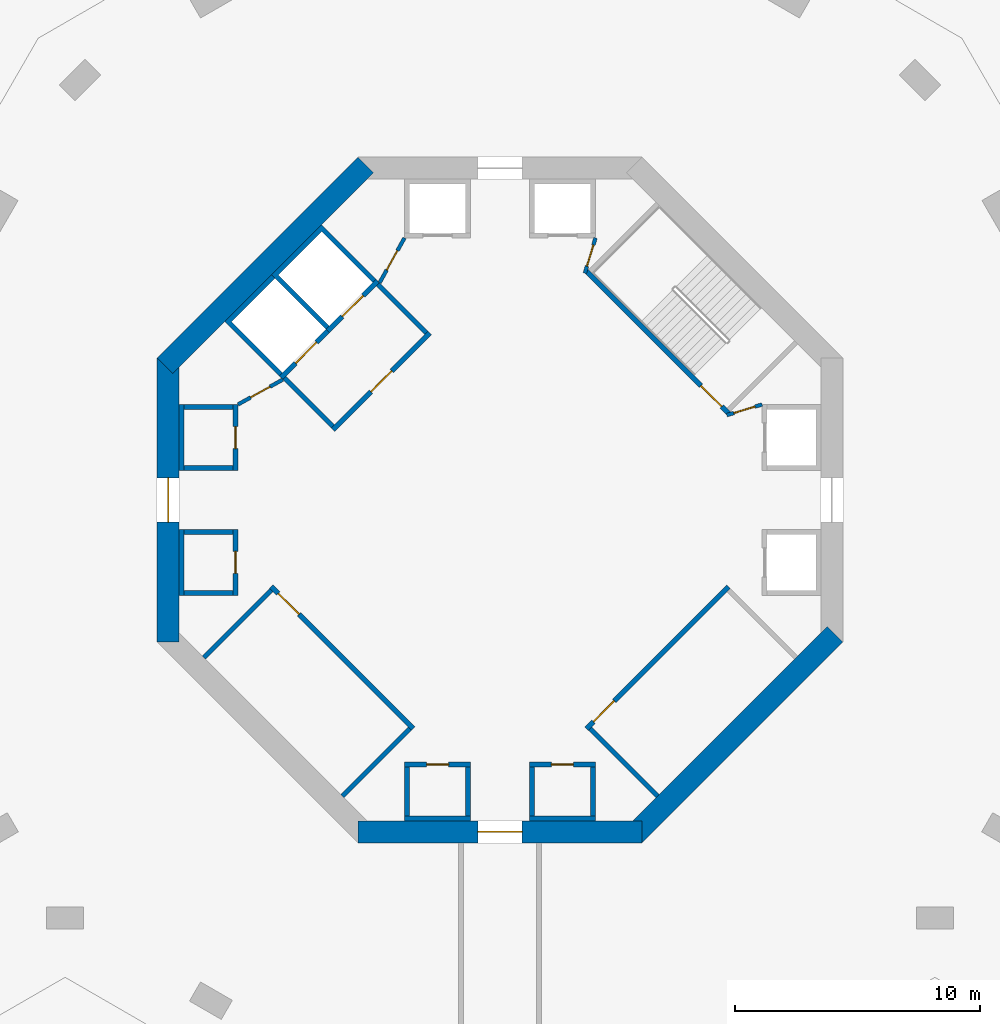
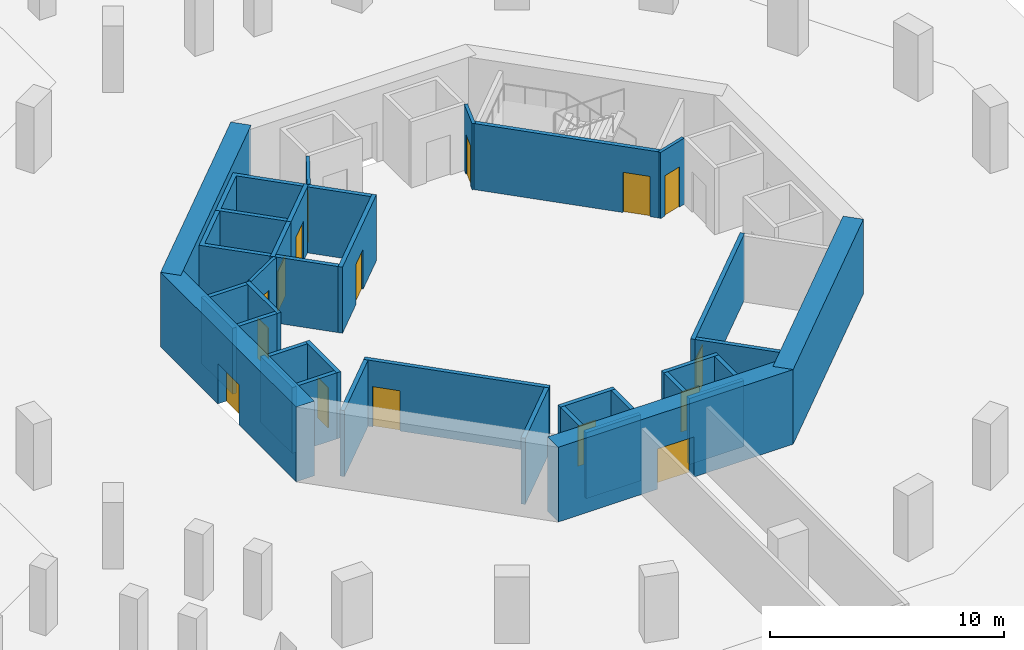
# One storey, part 7 of 25: 37 walls, 16 doors, 16 openings.
"""IFC4 building model written with IfcOpenShell, lengths in metres."""

import ifcopenshell
import ifcopenshell.guid

model = None  # the IFC model being written
_history = None  # IfcOwnerHistory: only IFC2X3 demands one
_inside = {}  # id of a spatial element -> (the spatial element, [elements in it])
_under = {}  # id of a project, library or spatial element -> (it, [spatial elements below it])
_declared = {}  # id of a project -> (the project, [libraries it declares])
_typed = {}  # id of a type object -> (the type object, [elements of that type])
_made_of = {}  # id of a material, layer set ... -> (it, [elements and type objects made of it])


def new_model(schema):
    """Start an empty IFC model of exactly this schema.

    Asked for "IFC4X3", IfcOpenShell would pick the latest addendum, in which some entities
    have other attributes; the version numbers below select the first issue.
    IFC2X3 requires an IfcOwnerHistory on every rooted entity: one is made here for all.
    """
    global model, _history
    if schema == "IFC4X3":
        model = ifcopenshell.file(schema_version=(4, 3, 0, 0))
    else:
        model = ifcopenshell.file(schema=schema)
    _inside.clear()
    _under.clear()
    _declared.clear()
    _typed.clear()
    _made_of.clear()
    _history = None
    if model.schema == "IFC2X3":
        org = make("IfcOrganization", Name="unknown")
        user = make(
            "IfcPersonAndOrganization",
            ThePerson=make("IfcPerson", FamilyName="unknown"),
            TheOrganization=org,
        )
        app = make(
            "IfcApplication",
            ApplicationDeveloper=org,
            Version="unknown",
            ApplicationFullName="unknown",
            ApplicationIdentifier="unknown",
        )
        _history = make(
            "IfcOwnerHistory",
            OwningUser=user,
            OwningApplication=app,
            ChangeAction="ADDED",
            CreationDate=0,
        )
    return model


def make(cls, **values):
    """One entity of the class cls with the attributes given. An attribute that is None is left unset."""
    return model.create_entity(
        cls, **{name: value for name, value in values.items() if value is not None}
    )


def rooted(cls, **values):
    """An entity with a GlobalId (a new one), such as an element, a storey or a relation."""
    return make(cls, GlobalId=ifcopenshell.guid.new(), OwnerHistory=_history, **values)


def si_unit(unit_type, name, prefix=None):
    """IfcSIUnit, for example si_unit("LENGTHUNIT", "METRE", prefix="MILLI")."""
    return make("IfcSIUnit", UnitType=unit_type, Prefix=prefix, Name=name)


def assignment(units):
    """IfcUnitAssignment: the units of a project."""
    return None if units is None else make("IfcUnitAssignment", Units=units)


def point(xyz):
    """IfcCartesianPoint."""
    return None if xyz is None else make("IfcCartesianPoint", Coordinates=xyz)


def direction(xyz):
    """IfcDirection."""
    return None if xyz is None else make("IfcDirection", DirectionRatios=xyz)


def frame(location, z_axis=None, x_axis=None):
    """IfcAxis2Placement3D, a coordinate frame: its origin and axes. An axis left out is left unset."""
    return make(
        "IfcAxis2Placement3D",
        Location=point(location),
        Axis=direction(z_axis),
        RefDirection=direction(x_axis),
    )


def frame_2d(location, x_axis=None):
    """IfcAxis2Placement2D, a coordinate frame in the plane: its origin and x axis."""
    return make(
        "IfcAxis2Placement2D", Location=point(location), RefDirection=direction(x_axis)
    )


def origin():
    """The frame at (0, 0, 0) with its axes left unset."""
    return frame((0.0, 0.0, 0.0))


def place(relative_to, where):
    """IfcLocalPlacement: puts the frame where relative to a parent placement (None: the world)."""
    return make(
        "IfcLocalPlacement", PlacementRelTo=relative_to, RelativePlacement=where
    )


def context(
    kind, dimensions, precision=None, world=None, true_north=None, identifier=None
):
    """IfcGeometricRepresentationContext, for example the 3D "Model" context."""
    return make(
        "IfcGeometricRepresentationContext",
        ContextIdentifier=identifier,
        ContextType=kind,
        CoordinateSpaceDimension=dimensions,
        Precision=precision,
        WorldCoordinateSystem=world,
        TrueNorth=true_north,
    )


def subcontext(parent, identifier, kind, view, scale=None):
    """IfcGeometricRepresentationSubContext, for example "Body" below "Model"."""
    return make(
        "IfcGeometricRepresentationSubContext",
        ContextIdentifier=identifier,
        ContextType=kind,
        ParentContext=parent,
        TargetScale=scale,
        TargetView=view,
    )


def project(units=None, contexts=None):
    """IfcProject with its units and contexts."""
    return rooted(
        "IfcProject",
        Name="project",
        RepresentationContexts=contexts,
        UnitsInContext=assignment(units),
    )


def spatial(cls, under=None, at=None, **own):
    """A site, building, storey or space (cls), placed at a placement, below another one or the project."""
    s = rooted(cls, ObjectPlacement=at, **own)
    if under is not None:
        _under.setdefault(under.id(), (under, []))[1].append(s)
    return s


def polyline(points):
    """IfcPolyline through the points."""
    return make("IfcPolyline", Points=[point(p) for p in points])


def profile(cls, at=None, kind="AREA", **sizes):
    """A parametric profile (cls). Its sizes go by their IFC names, for example OverallWidth=200.0."""
    return make(cls, ProfileType=kind, Position=at, **sizes)


def rectangle(**sizes):
    """IfcRectangleProfileDef."""
    return profile("IfcRectangleProfileDef", **sizes)


def outline(outer, holes=None, kind="AREA"):
    """IfcArbitraryClosedProfileDef: a profile drawn as a closed curve; with holes, ...WithVoids."""
    if holes is None:
        return make("IfcArbitraryClosedProfileDef", ProfileType=kind, OuterCurve=outer)
    return make(
        "IfcArbitraryProfileDefWithVoids",
        ProfileType=kind,
        OuterCurve=outer,
        InnerCurves=holes,
    )


def extrude(swept, where, along, depth):
    """IfcExtrudedAreaSolid: the profile swept, set in the frame where, extruded along a direction by depth."""
    return make(
        "IfcExtrudedAreaSolid",
        SweptArea=swept,
        Position=where,
        ExtrudedDirection=direction(along),
        Depth=depth,
    )


def shape(context_of_items, identifier, shape_type, items):
    """IfcShapeRepresentation: the items that make up one representation, for example the "Body"."""
    return make(
        "IfcShapeRepresentation",
        ContextOfItems=context_of_items,
        RepresentationIdentifier=identifier,
        RepresentationType=shape_type,
        Items=items,
    )


def material(Name=None, Category=None):
    """IfcMaterial."""
    return make("IfcMaterial", Name=Name, Category=Category)


def layer(
    of_material, thickness, ventilated=None, Name=None, Category=None, Priority=None
):
    """IfcMaterialLayer: one layer of a wall or slab, of a material (None: an air gap)."""
    return make(
        "IfcMaterialLayer",
        Material=of_material,
        LayerThickness=thickness,
        IsVentilated=ventilated,
        Name=Name,
        Category=Category,
        Priority=Priority,
    )


def layer_set(layers, Name=None):
    """IfcMaterialLayerSet."""
    return make("IfcMaterialLayerSet", MaterialLayers=layers, LayerSetName=Name)


def made_of(thing, what):
    """Note that an element or type object is made of a material, layer set ...; save() writes the relation."""
    if what is not None:
        _made_of.setdefault(what.id(), (what, []))[1].append(thing)
    return thing


def type_object(cls, material=None, **own):
    """A type object (cls), such as IfcWallType, which elements share."""
    return made_of(rooted(cls, **own), material)


def element(
    cls,
    number,
    at=None,
    inside=None,
    cuts=None,
    type_object=None,
    material=None,
    context=None,
    identifier="Body",
    shape_type=None,
    held_by="IfcProductDefinitionShape",
    body=None,
    shapes=None,
    **own,
):
    """One element of the class cls, such as IfcWall. Its Tag is "e" and its number.

    at: its placement. inside: the storey or other place that contains it. cuts: it is an
    opening in that element (IfcRelVoidsElement). A single representation is given by context,
    identifier, shape_type and body (its items); several are given by shapes. held_by: the class
    of the entity that holds the representations. save() writes the other relations.
    """
    e = rooted(cls, Tag="e%d" % number, ObjectPlacement=at, **own)
    if body is not None:
        shapes = [shape(context, identifier, shape_type, body)]
    if shapes is not None:
        e.Representation = make(held_by, Representations=shapes)
    if inside is not None:
        _inside.setdefault(inside.id(), (inside, []))[1].append(e)
    if cuts is not None:
        rooted(
            "IfcRelVoidsElement", RelatingBuildingElement=cuts, RelatedOpeningElement=e
        )
    if type_object is not None:
        _typed.setdefault(type_object.id(), (type_object, []))[1].append(e)
    return made_of(e, material)


def fill(opening, filler):
    """IfcRelFillsElement: the door or window that sits in an opening."""
    return rooted(
        "IfcRelFillsElement",
        RelatingOpeningElement=opening,
        RelatedBuildingElement=filler,
    )


def aggregate(whole, parts):
    """IfcRelAggregates: a whole, such as a stair, and the parts it consists of."""
    return rooted("IfcRelAggregates", RelatingObject=whole, RelatedObjects=parts)


def save(model, path):
    """Write the relations noted so far, then the file.

    IfcRelAggregates (storeys below a building ...), IfcRelContainedInSpatialStructure (elements
    in a storey), IfcRelDefinesByType, IfcRelAssociatesMaterial and IfcRelDeclares: one each for
    every whole, place, type object, material and project.
    """
    for whole, parts in _under.values():
        aggregate(whole, parts)
    for where, things in _inside.values():
        rooted(
            "IfcRelContainedInSpatialStructure",
            RelatedElements=things,
            RelatingStructure=where,
        )
    for kind, things in _typed.values():
        rooted("IfcRelDefinesByType", RelatedObjects=things, RelatingType=kind)
    for what, things in _made_of.values():
        rooted("IfcRelAssociatesMaterial", RelatedObjects=things, RelatingMaterial=what)
    for by, libraries in _declared.values():
        rooted("IfcRelDeclares", RelatingContext=by, RelatedDefinitions=libraries)
    model.write(path)


model = new_model("IFC4")

# Units and contexts
model_context = context("Model", 3, precision=1e-05, world=origin(), true_north=direction((0.0, 1.0)))
body_context = subcontext(model_context, "Body", "Model", "MODEL_VIEW")
ifc_project = project(units=[si_unit("LENGTHUNIT", "METRE"), si_unit("AREAUNIT", "SQUARE_METRE"), si_unit("VOLUMEUNIT", "CUBIC_METRE"), si_unit("PLANEANGLEUNIT", "RADIAN"), si_unit("MASSUNIT", "GRAM", prefix="KILO")], contexts=[model_context])

# Site, building, storey
site_placement = place(None, origin())
site = spatial("IfcSite", under=ifc_project, at=site_placement, CompositionType="ELEMENT")
building_placement = place(site_placement, origin())
building = spatial("IfcBuilding", under=site, at=building_placement, Name="Verdalira Terraces Hotel", CompositionType="ELEMENT")
storey_placement = place(building_placement, frame((0.0, 0.0, -7.800049)))
storey = spatial("IfcBuildingStorey", under=building, at=storey_placement, Name="B2", CompositionType="ELEMENT", Elevation=-7.800048828125)

# Walls
ifc_material_1 = material(Name="Concrete C50", Category="concrete")
ifc_layer_1 = layer(ifc_material_1, 0.199951171875)
ifc_layer_set_1 = layer_set([ifc_layer_1], Name="Core RC wall 200 C50")
wall_type_1 = type_object("IfcWallType", Name="Core RC wall 200 C50", PredefinedType="SOLIDWALL", material=ifc_layer_set_1)
wall_1_placement = place(storey_placement, origin())
element("IfcWall", 1, at=wall_1_placement, inside=storey, type_object=wall_type_1, Name="B2 store wall W1", PredefinedType="SOLIDWALL", context=body_context, shape_type="SweptSolid", body=[
    extrude(outline(polyline([(-10.899902, 1.199951), (-12.899902, 1.199951), (-12.899902, 1.399902), (-10.899902, 1.399902), (-10.899902, 1.199951)])), origin(), (0.0, 0.0, 1.0), 3.449951),
])
wall_2_placement = place(storey_placement, origin())
element("IfcWall", 2, at=wall_2_placement, inside=storey, type_object=wall_type_1, Name="B2 store wall W1", PredefinedType="SOLIDWALL", context=body_context, shape_type="SweptSolid", body=[
    extrude(outline(polyline([(-10.899902, 3.699951), (-12.899902, 3.699951), (-12.899902, 3.899902), (-10.899902, 3.899902), (-10.899902, 3.699951)])), origin(), (0.0, 0.0, 1.0), 3.449951),
])
wall_3_placement = place(storey_placement, origin())
element("IfcWall", 3, at=wall_3_placement, inside=storey, type_object=wall_type_1, Name="B2 store wall W1", PredefinedType="SOLIDWALL", context=body_context, shape_type="SweptSolid", body=[
    extrude(outline(polyline([(-12.899902, 1.199951), (-13.100098, 1.199951), (-13.100098, 3.899902), (-12.899902, 3.899902), (-12.899902, 1.199951)])), origin(), (0.0, 0.0, 1.0), 3.449951),
])

# Wall, opening, door
wall_4_placement = place(storey_placement, frame((-10.800049, 1.199951, 0.0), z_axis=(0.0, 0.0, 1.0), x_axis=(0.0, 1.0, 0.0)))
wall_4 = element("IfcWall", 4, at=wall_4_placement, inside=storey, type_object=wall_type_1, Name="B2 store front wall W1", PredefinedType="SOLIDWALL", context=body_context, shape_type="SweptSolid", body=[
    extrude(rectangle(XDim=2.699951, YDim=0.199951, at=frame_2d((1.350098, 0.0))), origin(), (0.0, 0.0, 1.0), 3.449951),
])
opening_1_placement = place(wall_4_placement, frame((0.899902, 0.0, 0.0)))
opening_1 = element("IfcOpeningElement", 5, at=opening_1_placement, cuts=wall_4, Name="Opening B2-801", PredefinedType="OPENING", context=body_context, shape_type="SweptSolid", body=[
    extrude(rectangle(XDim=0.899902, YDim=2.100098, at=frame_2d((0.449951, 1.050049))), frame((0.0, 0.109863, 0.0), z_axis=(0.0, -1.0, 0.0), x_axis=(1.0, 0.0, 0.0)), (0.0, 0.0, 1.0), 0.219971),
])
ifc_material_2 = material(Name="Steel fire door", Category="steel")
door_type_1 = type_object("IfcDoorType", Name="Core room door 900 x 2100", OperationType="NOTDEFINED", PredefinedType="DOOR", material=ifc_material_2)
door_1_placement = place(opening_1_placement, origin())
door_1 = element("IfcDoor", 6, at=door_1_placement, inside=storey, type_object=door_type_1, Name="Store door B2 W1", OperationType="SINGLE_SWING_LEFT", OverallHeight=2.10009765625, OverallWidth=0.89990234375, PredefinedType="DOOR", context=body_context, shape_type="SweptSolid", body=[
    extrude(rectangle(XDim=0.899902, YDim=2.100098, at=frame_2d((0.449951, 1.050049))), frame((0.0, 0.024902, 0.0), z_axis=(0.0, -1.0, 0.0), x_axis=(1.0, 0.0, 0.0)), (0.0, 0.0, 1.0), 0.050049),
])
fill(opening_1, door_1)

# Walls
wall_5_placement = place(storey_placement, origin())
element("IfcWall", 7, at=wall_5_placement, inside=storey, type_object=wall_type_1, Name="B2 store wall W2", PredefinedType="SOLIDWALL", context=body_context, shape_type="SweptSolid", body=[
    extrude(outline(polyline([(-10.899902, -1.199951), (-10.899902, -1.399902), (-12.899902, -1.399902), (-12.899902, -1.199951), (-10.899902, -1.199951)])), origin(), (0.0, 0.0, 1.0), 3.449951),
])
wall_6_placement = place(storey_placement, origin())
element("IfcWall", 8, at=wall_6_placement, inside=storey, type_object=wall_type_1, Name="B2 store wall W2", PredefinedType="SOLIDWALL", context=body_context, shape_type="SweptSolid", body=[
    extrude(outline(polyline([(-10.899902, -3.699951), (-10.899902, -3.899902), (-12.899902, -3.899902), (-12.899902, -3.699951), (-10.899902, -3.699951)])), origin(), (0.0, 0.0, 1.0), 3.449951),
])
wall_7_placement = place(storey_placement, origin())
element("IfcWall", 9, at=wall_7_placement, inside=storey, type_object=wall_type_1, Name="B2 store wall W2", PredefinedType="SOLIDWALL", context=body_context, shape_type="SweptSolid", body=[
    extrude(outline(polyline([(-12.899902, -1.199951), (-12.899902, -3.899902), (-13.100098, -3.899902), (-13.100098, -1.199951), (-12.899902, -1.199951)])), origin(), (0.0, 0.0, 1.0), 3.449951),
])

# Wall, opening, door
wall_8_placement = place(storey_placement, frame((-10.800049, -1.199951, 0.0), z_axis=(0.0, 0.0, 1.0), x_axis=(0.0, -1.0, 0.0)))
wall_8 = element("IfcWall", 10, at=wall_8_placement, inside=storey, type_object=wall_type_1, Name="B2 store front wall W2", PredefinedType="SOLIDWALL", context=body_context, shape_type="SweptSolid", body=[
    extrude(rectangle(XDim=2.699951, YDim=0.199951, at=frame_2d((1.350098, 0.0))), origin(), (0.0, 0.0, 1.0), 3.449951),
])
opening_2_placement = place(wall_8_placement, frame((0.899902, 0.0, 0.0)))
opening_2 = element("IfcOpeningElement", 11, at=opening_2_placement, cuts=wall_8, Name="Opening B2-802", PredefinedType="OPENING", context=body_context, shape_type="SweptSolid", body=[
    extrude(rectangle(XDim=0.899902, YDim=2.100098, at=frame_2d((0.449951, 1.050049))), frame((0.0, 0.109863, 0.0), z_axis=(0.0, -1.0, 0.0), x_axis=(1.0, 0.0, 0.0)), (0.0, 0.0, 1.0), 0.219971),
])
door_2_placement = place(opening_2_placement, origin())
door_2 = element("IfcDoor", 12, at=door_2_placement, inside=storey, type_object=door_type_1, Name="Store door B2 W2", OperationType="SINGLE_SWING_LEFT", OverallHeight=2.10009765625, OverallWidth=0.89990234375, PredefinedType="DOOR", context=body_context, shape_type="SweptSolid", body=[
    extrude(rectangle(XDim=0.899902, YDim=2.100098, at=frame_2d((0.449951, 1.050049))), frame((0.0, 0.024902, 0.0), z_axis=(0.0, -1.0, 0.0), x_axis=(1.0, 0.0, 0.0)), (0.0, 0.0, 1.0), 0.050049),
])
fill(opening_2, door_2)

# Walls
wall_9_placement = place(storey_placement, origin())
element("IfcWall", 13, at=wall_9_placement, inside=storey, type_object=wall_type_1, Name="B2 store wall S1", PredefinedType="SOLIDWALL", context=body_context, shape_type="SweptSolid", body=[
    extrude(outline(polyline([(-1.199951, -10.899902), (-1.199951, -12.899902), (-1.399902, -12.899902), (-1.399902, -10.899902), (-1.199951, -10.899902)])), origin(), (0.0, 0.0, 1.0), 3.449951),
])
wall_10_placement = place(storey_placement, origin())
element("IfcWall", 14, at=wall_10_placement, inside=storey, type_object=wall_type_1, Name="B2 store wall S1", PredefinedType="SOLIDWALL", context=body_context, shape_type="SweptSolid", body=[
    extrude(outline(polyline([(-3.699951, -10.899902), (-3.699951, -12.899902), (-3.899902, -12.899902), (-3.899902, -10.899902), (-3.699951, -10.899902)])), origin(), (0.0, 0.0, 1.0), 3.449951),
])
wall_11_placement = place(storey_placement, origin())
element("IfcWall", 15, at=wall_11_placement, inside=storey, type_object=wall_type_1, Name="B2 store wall S1", PredefinedType="SOLIDWALL", context=body_context, shape_type="SweptSolid", body=[
    extrude(outline(polyline([(-1.199951, -12.899902), (-1.199951, -13.100098), (-3.899902, -13.100098), (-3.899902, -12.899902), (-1.199951, -12.899902)])), origin(), (0.0, 0.0, 1.0), 3.449951),
])

# Wall, opening, door
wall_12_placement = place(storey_placement, frame((-1.199951, -10.800049, 0.0), z_axis=(0.0, 0.0, 1.0), x_axis=(-1.0, 0.0, 0.0)))
wall_12 = element("IfcWall", 16, at=wall_12_placement, inside=storey, type_object=wall_type_1, Name="B2 store front wall S1", PredefinedType="SOLIDWALL", context=body_context, shape_type="SweptSolid", body=[
    extrude(rectangle(XDim=2.699951, YDim=0.199951, at=frame_2d((1.350098, 0.0))), origin(), (0.0, 0.0, 1.0), 3.449951),
])
opening_3_placement = place(wall_12_placement, frame((0.899902, 0.0, 0.0)))
opening_3 = element("IfcOpeningElement", 17, at=opening_3_placement, cuts=wall_12, Name="Opening B2-803", PredefinedType="OPENING", context=body_context, shape_type="SweptSolid", body=[
    extrude(rectangle(XDim=0.899902, YDim=2.100098, at=frame_2d((0.449951, 1.050049))), frame((0.0, 0.109863, 0.0), z_axis=(0.0, -1.0, 0.0), x_axis=(1.0, 0.0, 0.0)), (0.0, 0.0, 1.0), 0.219971),
])
door_3_placement = place(opening_3_placement, origin())
door_3 = element("IfcDoor", 18, at=door_3_placement, inside=storey, type_object=door_type_1, Name="Store door B2 S1", OperationType="SINGLE_SWING_LEFT", OverallHeight=2.10009765625, OverallWidth=0.89990234375, PredefinedType="DOOR", context=body_context, shape_type="SweptSolid", body=[
    extrude(rectangle(XDim=0.899902, YDim=2.100098, at=frame_2d((0.449951, 1.050049))), frame((0.0, 0.024902, 0.0), z_axis=(0.0, -1.0, 0.0), x_axis=(1.0, 0.0, 0.0)), (0.0, 0.0, 1.0), 0.050049),
])
fill(opening_3, door_3)

# Walls
wall_13_placement = place(storey_placement, origin())
element("IfcWall", 19, at=wall_13_placement, inside=storey, type_object=wall_type_1, Name="B2 store wall S2", PredefinedType="SOLIDWALL", context=body_context, shape_type="SweptSolid", body=[
    extrude(outline(polyline([(1.199951, -10.899902), (1.399902, -10.899902), (1.399902, -12.899902), (1.199951, -12.899902), (1.199951, -10.899902)])), origin(), (0.0, 0.0, 1.0), 3.449951),
])
wall_14_placement = place(storey_placement, origin())
element("IfcWall", 20, at=wall_14_placement, inside=storey, type_object=wall_type_1, Name="B2 store wall S2", PredefinedType="SOLIDWALL", context=body_context, shape_type="SweptSolid", body=[
    extrude(outline(polyline([(3.699951, -10.899902), (3.899902, -10.899902), (3.899902, -12.899902), (3.699951, -12.899902), (3.699951, -10.899902)])), origin(), (0.0, 0.0, 1.0), 3.449951),
])
wall_15_placement = place(storey_placement, origin())
element("IfcWall", 21, at=wall_15_placement, inside=storey, type_object=wall_type_1, Name="B2 store wall S2", PredefinedType="SOLIDWALL", context=body_context, shape_type="SweptSolid", body=[
    extrude(outline(polyline([(1.199951, -12.899902), (3.899902, -12.899902), (3.899902, -13.100098), (1.199951, -13.100098), (1.199951, -12.899902)])), origin(), (0.0, 0.0, 1.0), 3.449951),
])

# Wall, opening, door
wall_16_placement = place(storey_placement, frame((1.199951, -10.800049, 0.0), z_axis=(0.0, 0.0, 1.0), x_axis=(1.0, 0.0, 0.0)))
wall_16 = element("IfcWall", 22, at=wall_16_placement, inside=storey, type_object=wall_type_1, Name="B2 store front wall S2", PredefinedType="SOLIDWALL", context=body_context, shape_type="SweptSolid", body=[
    extrude(rectangle(XDim=2.699951, YDim=0.199951, at=frame_2d((1.350098, 0.0))), origin(), (0.0, 0.0, 1.0), 3.449951),
])
opening_4_placement = place(wall_16_placement, frame((0.899902, 0.0, 0.0)))
opening_4 = element("IfcOpeningElement", 23, at=opening_4_placement, cuts=wall_16, Name="Opening B2-804", PredefinedType="OPENING", context=body_context, shape_type="SweptSolid", body=[
    extrude(rectangle(XDim=0.899902, YDim=2.100098, at=frame_2d((0.449951, 1.050049))), frame((0.0, 0.109863, 0.0), z_axis=(0.0, -1.0, 0.0), x_axis=(1.0, 0.0, 0.0)), (0.0, 0.0, 1.0), 0.219971),
])
door_4_placement = place(opening_4_placement, origin())
door_4 = element("IfcDoor", 24, at=door_4_placement, inside=storey, type_object=door_type_1, Name="Store door B2 S2", OperationType="SINGLE_SWING_LEFT", OverallHeight=2.10009765625, OverallWidth=0.89990234375, PredefinedType="DOOR", context=body_context, shape_type="SweptSolid", body=[
    extrude(rectangle(XDim=0.899902, YDim=2.100098, at=frame_2d((0.449951, 1.050049))), frame((0.0, 0.024902, 0.0), z_axis=(0.0, -1.0, 0.0), x_axis=(1.0, 0.0, 0.0)), (0.0, 0.0, 1.0), 0.050049),
])
fill(opening_4, door_4)

# Wall
wall_17_placement = place(storey_placement, origin())
element("IfcWall", 25, at=wall_17_placement, inside=storey, type_object=wall_type_1, Name="B2 shaft wall F1", PredefinedType="SOLIDWALL", context=body_context, shape_type="SweptSolid", body=[
    extrude(outline(polyline([(-9.33374, 9.192383), (-7.283203, 11.24292), (-5.055908, 9.015625), (-5.197266, 8.874268), (-7.283203, 10.960205), (-9.051025, 9.192383), (-6.965088, 7.106445), (-7.106445, 6.965088), (-9.33374, 9.192383)])), origin(), (0.0, 0.0, 1.0), 3.449951),
])

# Wall, opening, door
wall_18_placement = place(storey_placement, frame((-4.985107, 8.944824, 0.0), z_axis=(0.0, 0.0, 1.0), x_axis=(-0.707106781, -0.707106781, 0.0)))
wall_18 = element("IfcWall", 26, at=wall_18_placement, inside=storey, type_object=wall_type_1, Name="B2 shaft front wall F1", PredefinedType="SOLIDWALL", context=body_context, shape_type="SweptSolid", body=[
    extrude(rectangle(XDim=2.899902, YDim=0.199951, at=frame_2d((1.449951, 0.0))), origin(), (0.0, 0.0, 1.0), 3.449951),
])
opening_5_placement = place(wall_18_placement, frame((0.850098, 0.0, 0.0)))
opening_5 = element("IfcOpeningElement", 27, at=opening_5_placement, cuts=wall_18, Name="Opening LD-B2-809", PredefinedType="OPENING", context=body_context, shape_type="SweptSolid", body=[
    extrude(rectangle(XDim=1.199951, YDim=2.100098, at=frame_2d((0.600098, 1.050049))), frame((0.0, 0.109863, 0.0), z_axis=(0.0, -1.0, 0.0), x_axis=(1.0, 0.0, 0.0)), (0.0, 0.0, 1.0), 0.219971),
])
ifc_material_3 = material(Name="Stainless steel", Category="steel")
door_type_2 = type_object("IfcDoorType", Name="Landing door 1200 x 2100", OperationType="NOTDEFINED", PredefinedType="DOOR", material=ifc_material_3)
door_5_placement = place(opening_5_placement, origin())
door_5 = element("IfcDoor", 28, at=door_5_placement, inside=storey, type_object=door_type_2, Name="Lift landing door LF11 B2", OperationType="DOUBLE_DOOR_SLIDING", OverallHeight=2.10009765625, OverallWidth=1.199951171875, PredefinedType="DOOR", context=body_context, shape_type="SweptSolid", body=[
    extrude(rectangle(XDim=1.199951, YDim=2.100098, at=frame_2d((0.600098, 1.050049))), frame((0.0, 0.024902, 0.0), z_axis=(0.0, -1.0, 0.0), x_axis=(1.0, 0.0, 0.0)), (0.0, 0.0, 1.0), 0.050049),
])
fill(opening_5, door_5)

# Wall
wall_19_placement = place(storey_placement, origin())
element("IfcWall", 29, at=wall_19_placement, inside=storey, type_object=wall_type_1, Name="B2 shaft wall F2", PredefinedType="SOLIDWALL", context=body_context, shape_type="SweptSolid", body=[
    extrude(outline(polyline([(-11.24292, 7.283203), (-9.33374, 9.192383), (-9.192383, 9.051025), (-10.960205, 7.283203), (-8.874268, 5.197266), (-9.015625, 5.055908), (-11.24292, 7.283203)])), origin(), (0.0, 0.0, 1.0), 3.449951),
])

# Wall, opening, door
wall_20_placement = place(storey_placement, frame((-7.035645, 6.894287, 0.0), z_axis=(0.0, 0.0, 1.0), x_axis=(-0.707106781, -0.707106781, 0.0)))
wall_20 = element("IfcWall", 30, at=wall_20_placement, inside=storey, type_object=wall_type_1, Name="B2 shaft front wall F2", PredefinedType="SOLIDWALL", context=body_context, shape_type="SweptSolid", body=[
    extrude(rectangle(XDim=2.699951, YDim=0.199951, at=frame_2d((1.350098, 0.0))), origin(), (0.0, 0.0, 1.0), 3.449951),
])
opening_6_placement = place(wall_20_placement, frame((0.649902, 0.0, 0.0)))
opening_6 = element("IfcOpeningElement", 31, at=opening_6_placement, cuts=wall_20, Name="Opening LD-B2-810", PredefinedType="OPENING", context=body_context, shape_type="SweptSolid", body=[
    extrude(rectangle(XDim=1.199951, YDim=2.100098, at=frame_2d((0.600098, 1.050049))), frame((0.0, 0.109863, 0.0), z_axis=(0.0, -1.0, 0.0), x_axis=(1.0, 0.0, 0.0)), (0.0, 0.0, 1.0), 0.219971),
])
door_6_placement = place(opening_6_placement, origin())
door_6 = element("IfcDoor", 32, at=door_6_placement, inside=storey, type_object=door_type_2, Name="Lift landing door LF12 B2", OperationType="DOUBLE_DOOR_SLIDING", OverallHeight=2.10009765625, OverallWidth=1.199951171875, PredefinedType="DOOR", context=body_context, shape_type="SweptSolid", body=[
    extrude(rectangle(XDim=1.199951, YDim=2.100098, at=frame_2d((0.600098, 1.050049))), frame((0.0, 0.024902, 0.0), z_axis=(0.0, -1.0, 0.0), x_axis=(1.0, 0.0, 0.0)), (0.0, 0.0, 1.0), 0.050049),
])
fill(opening_6, door_6)

wall_21_placement = place(storey_placement, frame((3.5354, 9.33374, 0.0), z_axis=(0.0, 0.0, 1.0), x_axis=(0.707106781, -0.707106781, 0.0)))
wall_21 = element("IfcWall", 33, at=wall_21_placement, inside=storey, type_object=wall_type_1, Name="B2 stair ST1 front wall", PredefinedType="SOLIDWALL", context=body_context, shape_type="SweptSolid", body=[
    extrude(rectangle(XDim=8.200195, YDim=0.199951, at=frame_2d((4.100098, 0.0))), origin(), (0.0, 0.0, 1.0), 3.449951),
])
opening_7_placement = place(wall_21_placement, frame((6.600098, 0.0, 0.0)))
opening_7 = element("IfcOpeningElement", 34, at=opening_7_placement, cuts=wall_21, Name="Opening B2-811", PredefinedType="OPENING", context=body_context, shape_type="SweptSolid", body=[
    extrude(rectangle(XDim=1.199951, YDim=2.100098, at=frame_2d((0.600098, 1.050049))), frame((0.0, 0.109863, 0.0), z_axis=(0.0, -1.0, 0.0), x_axis=(1.0, 0.0, 0.0)), (0.0, 0.0, 1.0), 0.219971),
])
ifc_material_4 = material(Name="Steel fire door", Category="steel")
door_type_3 = type_object("IfcDoorType", Name="Stair door 1200 x 2100", OperationType="NOTDEFINED", PredefinedType="DOOR", material=ifc_material_4)
door_7_placement = place(opening_7_placement, origin())
door_7 = element("IfcDoor", 35, at=door_7_placement, inside=storey, type_object=door_type_3, Name="Stair door ST1 B2", OperationType="SINGLE_SWING_RIGHT", OverallHeight=2.10009765625, OverallWidth=1.199951171875, PredefinedType="DOOR", context=body_context, shape_type="SweptSolid", body=[
    extrude(rectangle(XDim=1.199951, YDim=2.100098, at=frame_2d((0.600098, 1.050049))), frame((0.0, 0.024902, 0.0), z_axis=(0.0, -1.0, 0.0), x_axis=(1.0, 0.0, 0.0)), (0.0, 0.0, 1.0), 0.050049),
])
fill(opening_7, door_7)

wall_22_placement = place(storey_placement, frame((-3.5354, -9.33374, 0.0), z_axis=(0.0, 0.0, 1.0), x_axis=(-0.707106781, 0.707106781, 0.0)))
wall_22 = element("IfcWall", 36, at=wall_22_placement, inside=storey, type_object=wall_type_1, Name="B2 ST2 plant room wall", PredefinedType="SOLIDWALL", context=body_context, shape_type="SweptSolid", body=[
    extrude(rectangle(XDim=8.200195, YDim=0.199951, at=frame_2d((4.100098, 0.0))), origin(), (0.0, 0.0, 1.0), 3.449951),
])
opening_8_placement = place(wall_22_placement, frame((6.600098, 0.0, 0.0)))
opening_8 = element("IfcOpeningElement", 37, at=opening_8_placement, cuts=wall_22, Name="Opening B2-812", PredefinedType="OPENING", context=body_context, shape_type="SweptSolid", body=[
    extrude(rectangle(XDim=1.199951, YDim=2.100098, at=frame_2d((0.600098, 1.050049))), frame((0.0, 0.109863, 0.0), z_axis=(0.0, -1.0, 0.0), x_axis=(1.0, 0.0, 0.0)), (0.0, 0.0, 1.0), 0.219971),
])
door_8_placement = place(opening_8_placement, origin())
door_8 = element("IfcDoor", 38, at=door_8_placement, inside=storey, type_object=door_type_1, Name="Plant room door B2 ST2", OperationType="SINGLE_SWING_RIGHT", OverallHeight=2.10009765625, OverallWidth=1.199951171875, PredefinedType="DOOR", context=body_context, shape_type="SweptSolid", body=[
    extrude(rectangle(XDim=1.199951, YDim=2.100098, at=frame_2d((0.600098, 1.050049))), frame((0.0, 0.024902, 0.0), z_axis=(0.0, -1.0, 0.0), x_axis=(1.0, 0.0, 0.0)), (0.0, 0.0, 1.0), 0.050049),
])
fill(opening_8, door_8)

# Walls
for number, where, z_axis, x_axis, name in (
    (39, (-9.33374, -3.677002, 0.0), (0.0, 0.0, 1.0), (-0.707106781, -0.707106781, 0.0), "B2 ST2 plant room wall"),
    (40, (-3.677002, -9.33374, 0.0), (0.0, 0.0, 1.0), (-0.707106781, -0.707106781, 0.0), "B2 ST2 plant room wall"),
):
    element("IfcWall", number, at=place(storey_placement, frame(where, z_axis=z_axis, x_axis=x_axis)), inside=storey, type_object=wall_type_1, Name=name, PredefinedType="SOLIDWALL", context=body_context, shape_type="SweptSolid", body=[
        extrude(rectangle(XDim=3.900146, YDim=0.199951, at=frame_2d((1.950195, 0.0))), origin(), (0.0, 0.0, 1.0), 3.449951),
    ])

# Wall, opening, door
wall_23_placement = place(storey_placement, frame((9.33374, -3.5354, 0.0), z_axis=(0.0, 0.0, 1.0), x_axis=(-0.707106781, -0.707106781, 0.0)))
wall_23 = element("IfcWall", 41, at=wall_23_placement, inside=storey, type_object=wall_type_1, Name="B2 ST3 plant room wall", PredefinedType="SOLIDWALL", context=body_context, shape_type="SweptSolid", body=[
    extrude(rectangle(XDim=8.200195, YDim=0.199951, at=frame_2d((4.100098, 0.0))), origin(), (0.0, 0.0, 1.0), 3.449951),
])
opening_9_placement = place(wall_23_placement, frame((6.600098, 0.0, 0.0)))
opening_9 = element("IfcOpeningElement", 42, at=opening_9_placement, cuts=wall_23, Name="Opening B2-813", PredefinedType="OPENING", context=body_context, shape_type="SweptSolid", body=[
    extrude(rectangle(XDim=1.199951, YDim=2.100098, at=frame_2d((0.600098, 1.050049))), frame((0.0, 0.109863, 0.0), z_axis=(0.0, -1.0, 0.0), x_axis=(1.0, 0.0, 0.0)), (0.0, 0.0, 1.0), 0.219971),
])
door_9_placement = place(opening_9_placement, origin())
door_9 = element("IfcDoor", 43, at=door_9_placement, inside=storey, type_object=door_type_1, Name="Plant room door B2 ST3", OperationType="SINGLE_SWING_RIGHT", OverallHeight=2.10009765625, OverallWidth=1.199951171875, PredefinedType="DOOR", context=body_context, shape_type="SweptSolid", body=[
    extrude(rectangle(XDim=1.199951, YDim=2.100098, at=frame_2d((0.600098, 1.050049))), frame((0.0, 0.024902, 0.0), z_axis=(0.0, -1.0, 0.0), x_axis=(1.0, 0.0, 0.0)), (0.0, 0.0, 1.0), 0.050049),
])
fill(opening_9, door_9)

# Wall
wall_24_placement = place(storey_placement, frame((3.677002, -9.33374, 0.0), z_axis=(0.0, 0.0, 1.0), x_axis=(0.707106781, -0.707106781, 0.0)))
element("IfcWall", 44, at=wall_24_placement, inside=storey, type_object=wall_type_1, Name="B2 ST3 plant room wall", PredefinedType="SOLIDWALL", context=body_context, shape_type="SweptSolid", body=[
    extrude(rectangle(XDim=3.900146, YDim=0.199951, at=frame_2d((1.950195, 0.0))), origin(), (0.0, 0.0, 1.0), 3.449951),
])

# Wall, opening, door
wall_25_placement = place(storey_placement, frame((-2.86377, 6.823486, 0.0), z_axis=(0.0, 0.0, 1.0), x_axis=(-0.707106781, -0.707106781, 0.0)))
wall_25 = element("IfcWall", 45, at=wall_25_placement, inside=storey, type_object=wall_type_1, Name="B2 fire lobby wall", PredefinedType="SOLIDWALL", context=body_context, shape_type="SweptSolid", body=[
    extrude(rectangle(XDim=5.599854, YDim=0.199951, at=frame_2d((2.799805, 0.0))), origin(), (0.0, 0.0, 1.0), 3.449951),
])
opening_10_placement = place(wall_25_placement, frame((2.199951, 0.0, 0.0)))
opening_10 = element("IfcOpeningElement", 46, at=opening_10_placement, cuts=wall_25, Name="Opening B2-818", PredefinedType="OPENING", context=body_context, shape_type="SweptSolid", body=[
    extrude(rectangle(XDim=1.199951, YDim=2.100098, at=frame_2d((0.600098, 1.050049))), frame((0.0, 0.109863, 0.0), z_axis=(0.0, -1.0, 0.0), x_axis=(1.0, 0.0, 0.0)), (0.0, 0.0, 1.0), 0.219971),
])
ifc_material_5 = material(Name="Steel fire door", Category="steel")
door_type_4 = type_object("IfcDoorType", Name="Lobby door 1200 x 2100", OperationType="NOTDEFINED", PredefinedType="DOOR", material=ifc_material_5)
door_10_placement = place(opening_10_placement, origin())
door_10 = element("IfcDoor", 47, at=door_10_placement, inside=storey, type_object=door_type_4, Name="Fire lobby door B2", OperationType="SINGLE_SWING_LEFT", OverallHeight=2.10009765625, OverallWidth=1.199951171875, PredefinedType="DOOR", context=body_context, shape_type="SweptSolid", body=[
    extrude(rectangle(XDim=1.199951, YDim=2.100098, at=frame_2d((0.600098, 1.050049))), frame((0.0, 0.024902, 0.0), z_axis=(0.0, -1.0, 0.0), x_axis=(1.0, 0.0, 0.0)), (0.0, 0.0, 1.0), 0.050049),
])
fill(opening_10, door_10)

# Walls
for number, where, z_axis, x_axis, name in (
    (48, (-3.005127, 6.823486, 0.0), (0.0, 0.0, 1.0), (-0.707106781, 0.707106781, 0.0), "B2 fire lobby wall"),
    (49, (-6.823486, 3.005127, 0.0), (0.0, 0.0, 1.0), (-0.707106781, 0.707106781, 0.0), "B2 fire lobby wall"),
):
    element("IfcWall", number, at=place(storey_placement, frame(where, z_axis=z_axis, x_axis=x_axis)), inside=storey, type_object=wall_type_1, Name=name, PredefinedType="SOLIDWALL", context=body_context, shape_type="SweptSolid", body=[
        extrude(rectangle(XDim=2.800049, YDim=0.199951, at=frame_2d((1.399902, 0.0))), origin(), (0.0, 0.0, 1.0), 3.449951),
    ])

# Wall, opening, door
ifc_material_6 = material(Name="Gypsum board partition")
ifc_layer_2 = layer(ifc_material_6, 0.14990234375)
ifc_layer_set_2 = layer_set([ifc_layer_2], Name="Core partition 150 mm")
wall_type_2 = type_object("IfcWallType", Name="Core partition 150 mm", PredefinedType="PARTITIONING", material=ifc_layer_set_2)
wall_26_placement = place(storey_placement, frame((10.699951, 3.899902, 0.0), z_axis=(0.0, 0.0, 1.0), x_axis=(-0.957084567, -0.289808785, 0.0)))
wall_26 = element("IfcWall", 50, at=wall_26_placement, inside=storey, type_object=wall_type_2, Name="Room partition B2", PredefinedType="PARTITIONING", context=body_context, shape_type="SweptSolid", body=[
    extrude(rectangle(XDim=1.501221, YDim=0.149902, at=frame_2d((0.750488, 0.0))), origin(), (0.0, 0.0, 1.0), 3.449951),
])
opening_11_placement = place(wall_26_placement, frame((0.300781, 0.0, 0.0)))
opening_11 = element("IfcOpeningElement", 51, at=opening_11_placement, cuts=wall_26, Name="Opening B2-819", PredefinedType="OPENING", context=body_context, shape_type="SweptSolid", body=[
    extrude(rectangle(XDim=0.899902, YDim=2.100098, at=frame_2d((0.449951, 1.050049))), frame((0.0, 0.084961, 0.0), z_axis=(0.0, -1.0, 0.0), x_axis=(1.0, 0.0, 0.0)), (0.0, 0.0, 1.0), 0.169922),
])
door_11_placement = place(opening_11_placement, origin())
door_11 = element("IfcDoor", 52, at=door_11_placement, inside=storey, type_object=door_type_1, Name="Door B2 room0", OperationType="SINGLE_SWING_LEFT", OverallHeight=2.10009765625, OverallWidth=0.89990234375, PredefinedType="DOOR", context=body_context, shape_type="SweptSolid", body=[
    extrude(rectangle(XDim=0.899902, YDim=2.100098, at=frame_2d((0.449951, 1.050049))), frame((0.0, 0.024902, 0.0), z_axis=(0.0, -1.0, 0.0), x_axis=(1.0, 0.0, 0.0)), (0.0, 0.0, 1.0), 0.050049),
])
fill(opening_11, door_11)

wall_27_placement = place(storey_placement, frame((3.464844, 9.263184, 0.0), z_axis=(0.0, 0.0, 1.0), x_axis=(0.289808785, 0.957084567, 0.0)))
wall_27 = element("IfcWall", 53, at=wall_27_placement, inside=storey, type_object=wall_type_2, Name="Room partition B2", PredefinedType="PARTITIONING", context=body_context, shape_type="SweptSolid", body=[
    extrude(rectangle(XDim=1.501221, YDim=0.149902, at=frame_2d((0.750488, 0.0))), origin(), (0.0, 0.0, 1.0), 3.449951),
])
opening_12_placement = place(wall_27_placement, frame((0.300781, 0.0, 0.0)))
opening_12 = element("IfcOpeningElement", 54, at=opening_12_placement, cuts=wall_27, Name="Opening B2-820", PredefinedType="OPENING", context=body_context, shape_type="SweptSolid", body=[
    extrude(rectangle(XDim=0.899902, YDim=2.100098, at=frame_2d((0.449951, 1.050049))), frame((0.0, 0.084961, 0.0), z_axis=(0.0, -1.0, 0.0), x_axis=(1.0, 0.0, 0.0)), (0.0, 0.0, 1.0), 0.169922),
])
door_12_placement = place(opening_12_placement, origin())
door_12 = element("IfcDoor", 55, at=door_12_placement, inside=storey, type_object=door_type_1, Name="Door B2 room1", OperationType="SINGLE_SWING_LEFT", OverallHeight=2.10009765625, OverallWidth=0.89990234375, PredefinedType="DOOR", context=body_context, shape_type="SweptSolid", body=[
    extrude(rectangle(XDim=0.899902, YDim=2.100098, at=frame_2d((0.449951, 1.050049))), frame((0.0, 0.024902, 0.0), z_axis=(0.0, -1.0, 0.0), x_axis=(1.0, 0.0, 0.0)), (0.0, 0.0, 1.0), 0.050049),
])
fill(opening_12, door_12)

wall_28_placement = place(storey_placement, frame((-3.899902, 10.699951, 0.0), z_axis=(0.0, 0.0, 1.0), x_axis=(-0.485692555, -0.874129705, 0.0)))
wall_28 = element("IfcWall", 56, at=wall_28_placement, inside=storey, type_object=wall_type_2, Name="Room partition B2", PredefinedType="PARTITIONING", context=body_context, shape_type="SweptSolid", body=[
    extrude(rectangle(XDim=2.088623, YDim=0.149902, at=frame_2d((1.044434, 0.0))), origin(), (0.0, 0.0, 1.0), 3.449951),
])
opening_13_placement = place(wall_28_placement, frame((0.594238, 0.0, 0.0)))
opening_13 = element("IfcOpeningElement", 57, at=opening_13_placement, cuts=wall_28, Name="Opening B2-821", PredefinedType="OPENING", context=body_context, shape_type="SweptSolid", body=[
    extrude(rectangle(XDim=0.899902, YDim=2.100098, at=frame_2d((0.449951, 1.050049))), frame((0.0, 0.084961, 0.0), z_axis=(0.0, -1.0, 0.0), x_axis=(1.0, 0.0, 0.0)), (0.0, 0.0, 1.0), 0.169922),
])
door_13_placement = place(opening_13_placement, origin())
door_13 = element("IfcDoor", 58, at=door_13_placement, inside=storey, type_object=door_type_1, Name="Door B2 room2", OperationType="SINGLE_SWING_LEFT", OverallHeight=2.10009765625, OverallWidth=0.89990234375, PredefinedType="DOOR", context=body_context, shape_type="SweptSolid", body=[
    extrude(rectangle(XDim=0.899902, YDim=2.100098, at=frame_2d((0.449951, 1.050049))), frame((0.0, 0.024902, 0.0), z_axis=(0.0, -1.0, 0.0), x_axis=(1.0, 0.0, 0.0)), (0.0, 0.0, 1.0), 0.050049),
])
fill(opening_13, door_13)

wall_29_placement = place(storey_placement, frame((-8.874268, 4.914307, 0.0), z_axis=(0.0, 0.0, 1.0), x_axis=(-0.874129705, -0.485692555, 0.0)))
wall_29 = element("IfcWall", 59, at=wall_29_placement, inside=storey, type_object=wall_type_2, Name="Room partition B2", PredefinedType="PARTITIONING", context=body_context, shape_type="SweptSolid", body=[
    extrude(rectangle(XDim=2.088623, YDim=0.149902, at=frame_2d((1.044434, 0.0))), origin(), (0.0, 0.0, 1.0), 3.449951),
])
opening_14_placement = place(wall_29_placement, frame((0.594238, 0.0, 0.0)))
opening_14 = element("IfcOpeningElement", 60, at=opening_14_placement, cuts=wall_29, Name="Opening B2-822", PredefinedType="OPENING", context=body_context, shape_type="SweptSolid", body=[
    extrude(rectangle(XDim=0.899902, YDim=2.100098, at=frame_2d((0.449951, 1.050049))), frame((0.0, 0.084961, 0.0), z_axis=(0.0, -1.0, 0.0), x_axis=(1.0, 0.0, 0.0)), (0.0, 0.0, 1.0), 0.169922),
])
door_14_placement = place(opening_14_placement, origin())
door_14 = element("IfcDoor", 61, at=door_14_placement, inside=storey, type_object=door_type_1, Name="Door B2 room3", OperationType="SINGLE_SWING_LEFT", OverallHeight=2.10009765625, OverallWidth=0.89990234375, PredefinedType="DOOR", context=body_context, shape_type="SweptSolid", body=[
    extrude(rectangle(XDim=0.899902, YDim=2.100098, at=frame_2d((0.449951, 1.050049))), frame((0.0, 0.024902, 0.0), z_axis=(0.0, -1.0, 0.0), x_axis=(1.0, 0.0, 0.0)), (0.0, 0.0, 1.0), 0.050049),
])
fill(opening_14, door_14)

# Wall
ifc_material_7 = material(Name="Concrete C70", Category="concrete")
ifc_layer_3 = layer(ifc_material_7, 0.89990234375)
ifc_layer_set_3 = layer_set([ifc_layer_3], Name="Core wall 900 C70")
wall_type_3 = type_object("IfcWallType", Name="Core wall 900 C70", PredefinedType="SHEAR", material=ifc_layer_set_3)
wall_30_placement = place(storey_placement, frame((-5.480713, 13.681885, 0.0), z_axis=(0.0, 0.0, 1.0), x_axis=(-0.707106781, -0.707106781, 0.0)))
element("IfcWall", 62, at=wall_30_placement, inside=storey, type_object=wall_type_3, Name="Core wall CW-B2-4", PredefinedType="SHEAR", context=body_context, shape_type="SweptSolid", body=[
    extrude(rectangle(XDim=11.598145, YDim=0.899902, at=frame_2d((5.799072, 0.0))), origin(), (0.0, 0.0, 1.0), 3.900146),
])

# Wall, opening, door
wall_31_placement = place(storey_placement, frame((-13.550049, 5.799072, 0.0), z_axis=(0.0, 0.0, 1.0), x_axis=(0.0, -1.0, 0.0)))
wall_31 = element("IfcWall", 63, at=wall_31_placement, inside=storey, type_object=wall_type_3, Name="Core wall CW-B2-5", PredefinedType="SHEAR", context=body_context, shape_type="SweptSolid", body=[
    extrude(rectangle(XDim=11.598145, YDim=0.899902, at=frame_2d((5.799072, 0.0))), origin(), (0.0, 0.0, 1.0), 3.900146),
])
opening_15_placement = place(wall_31_placement, frame((4.898926, 0.0, 0.0)))
opening_15 = element("IfcOpeningElement", 64, at=opening_15_placement, cuts=wall_31, Name="Opening B2-816", PredefinedType="OPENING", context=body_context, shape_type="SweptSolid", body=[
    extrude(rectangle(XDim=1.800049, YDim=2.100098, at=frame_2d((0.899902, 1.050049))), frame((0.0, 0.459961, 0.0), z_axis=(0.0, -1.0, 0.0), x_axis=(1.0, 0.0, 0.0)), (0.0, 0.0, 1.0), 0.919922),
])
ifc_material_8 = material(Name="Steel fire door", Category="steel")
door_type_5 = type_object("IfcDoorType", Name="Core entry door pair 1800 x 2100", OperationType="NOTDEFINED", PredefinedType="DOOR", material=ifc_material_8)
door_15_placement = place(opening_15_placement, origin())
door_15 = element("IfcDoor", 65, at=door_15_placement, inside=storey, type_object=door_type_5, Name="Core entry door B2 4", OperationType="DOUBLE_DOOR_SINGLE_SWING", OverallHeight=2.10009765625, OverallWidth=1.800048828125, PredefinedType="DOOR", context=body_context, shape_type="SweptSolid", body=[
    extrude(rectangle(XDim=1.800049, YDim=2.100098, at=frame_2d((0.899902, 1.050049))), frame((0.0, 0.024902, 0.0), z_axis=(0.0, -1.0, 0.0), x_axis=(1.0, 0.0, 0.0)), (0.0, 0.0, 1.0), 0.050049),
])
fill(opening_15, door_15)

wall_32_placement = place(storey_placement, frame((-5.799072, -13.550049, 0.0), z_axis=(0.0, 0.0, 1.0), x_axis=(1.0, 0.0, 0.0)))
wall_32 = element("IfcWall", 66, at=wall_32_placement, inside=storey, type_object=wall_type_3, Name="Core wall CW-B2-7", PredefinedType="SHEAR", context=body_context, shape_type="SweptSolid", body=[
    extrude(rectangle(XDim=11.598145, YDim=0.899902, at=frame_2d((5.799072, 0.0))), origin(), (0.0, 0.0, 1.0), 3.900146),
])
opening_16_placement = place(wall_32_placement, frame((4.898926, 0.0, 0.0)))
opening_16 = element("IfcOpeningElement", 67, at=opening_16_placement, cuts=wall_32, Name="Opening B2-817", PredefinedType="OPENING", context=body_context, shape_type="SweptSolid", body=[
    extrude(rectangle(XDim=1.800049, YDim=2.100098, at=frame_2d((0.899902, 1.050049))), frame((0.0, 0.459961, 0.0), z_axis=(0.0, -1.0, 0.0), x_axis=(1.0, 0.0, 0.0)), (0.0, 0.0, 1.0), 0.919922),
])
door_16_placement = place(opening_16_placement, origin())
door_16 = element("IfcDoor", 68, at=door_16_placement, inside=storey, type_object=door_type_5, Name="Core entry door B2 6", OperationType="DOUBLE_DOOR_SINGLE_SWING", OverallHeight=2.10009765625, OverallWidth=1.800048828125, PredefinedType="DOOR", context=body_context, shape_type="SweptSolid", body=[
    extrude(rectangle(XDim=1.800049, YDim=2.100098, at=frame_2d((0.899902, 1.050049))), frame((0.0, 0.024902, 0.0), z_axis=(0.0, -1.0, 0.0), x_axis=(1.0, 0.0, 0.0)), (0.0, 0.0, 1.0), 0.050049),
])
fill(opening_16, door_16)

# Wall
wall_33_placement = place(storey_placement, frame((5.480713, -13.681885, 0.0), z_axis=(0.0, 0.0, 1.0), x_axis=(0.707106781, 0.707106781, 0.0)))
element("IfcWall", 69, at=wall_33_placement, inside=storey, type_object=wall_type_3, Name="Core wall CW-B2-8", PredefinedType="SHEAR", context=body_context, shape_type="SweptSolid", body=[
    extrude(rectangle(XDim=11.598145, YDim=0.899902, at=frame_2d((5.799072, 0.0))), origin(), (0.0, 0.0, 1.0), 3.900146),
])

save(model, "model.ifc")
